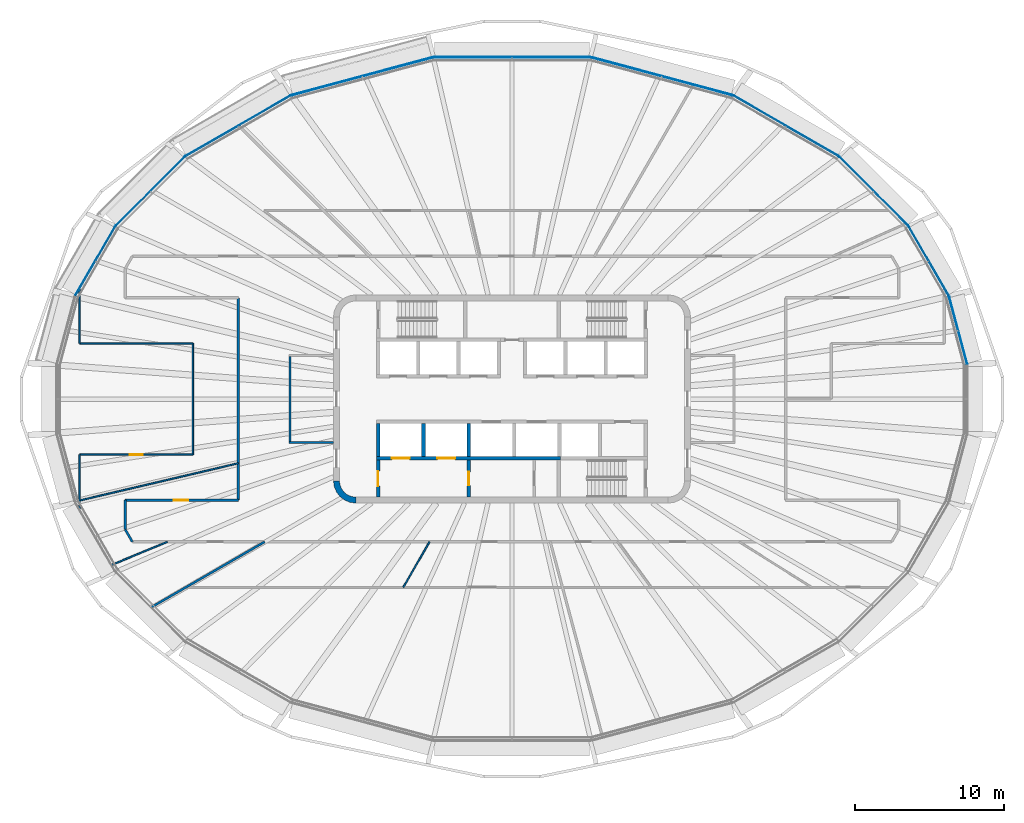
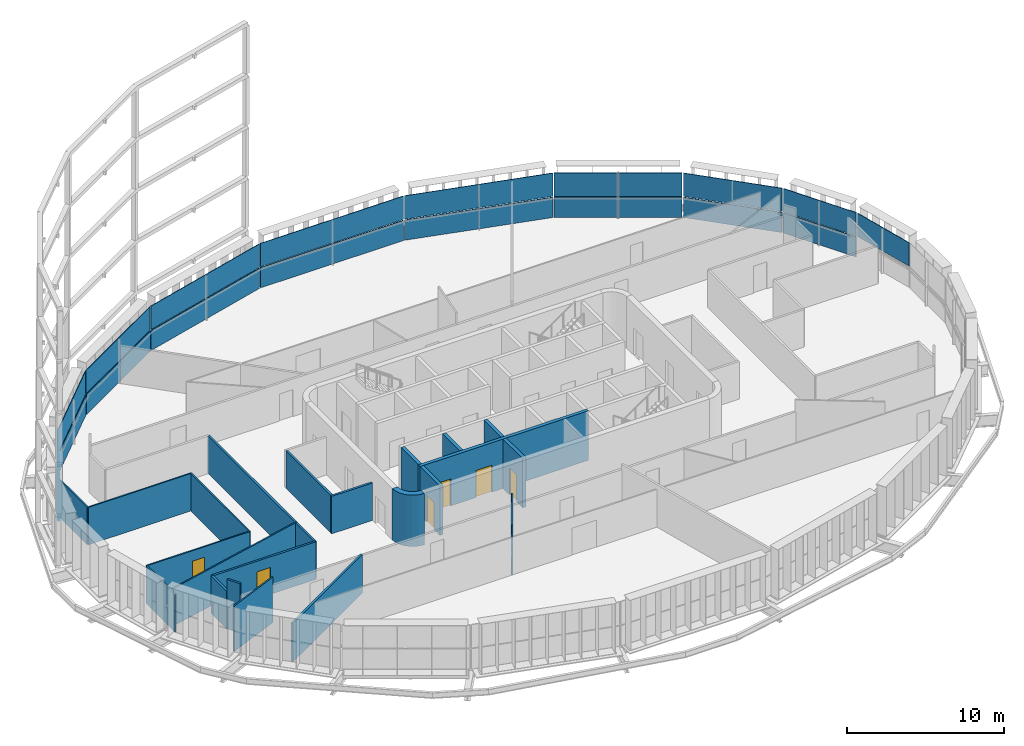
# One storey, part 9 of 20: 22 walls, 19 plates, 6 doors, 6 openings, 10 elements without a shape of their own.
"""IFC4 building model written with IfcOpenShell, lengths in metres."""

from ifc_helpers import new_model, si_unit, direction, frame, frame_2d, origin, place, context, subcontext, project, spatial, polyline, rectangle, outline, extrude, material, layer, layer_set, type_object, element, fill, aggregate, save


model = new_model("IFC4")

# Units and contexts
model_context = context("Model", 3, precision=1e-05, world=origin(), true_north=direction((0.0, 1.0)))
body_context = subcontext(model_context, "Body", "Model", "MODEL_VIEW")
ifc_project = project(units=[si_unit("LENGTHUNIT", "METRE"), si_unit("AREAUNIT", "SQUARE_METRE"), si_unit("VOLUMEUNIT", "CUBIC_METRE"), si_unit("PLANEANGLEUNIT", "RADIAN"), si_unit("MASSUNIT", "GRAM", prefix="KILO")], contexts=[model_context])

# Site, building, storey
site_placement = place(None, origin())
site = spatial("IfcSite", under=ifc_project, at=site_placement, CompositionType="ELEMENT")
building_placement = place(site_placement, origin())
building = spatial("IfcBuilding", under=site, at=building_placement, Name="Sahrelin Media Tower", CompositionType="ELEMENT")
storey_placement = place(building_placement, frame((0.0, 0.0, 213.60009765625)))
storey = spatial("IfcBuildingStorey", under=building, at=storey_placement, Name="L45", CompositionType="ELEMENT", Elevation=213.60009765625)

# Curtain wall, plate
ifc_material_1 = material(Name="Champagne anodised aluminium 6063-T6", Category="aluminium")
ifc_layer_1 = layer(ifc_material_1, 0.14990234375)
ifc_layer_set_1 = layer_set([ifc_layer_1], Name="Tower ribbon curtain wall")
curtain_wall_type = type_object("IfcCurtainWallType", Name="Tower ribbon curtain wall", PredefinedType="NOTDEFINED", material=ifc_layer_set_1)
curtain_wall_1_placement = place(storey_placement, frame((30.00244140625, 4.599365234375, 0.0), z_axis=(0.0, 0.0, 1.0), x_axis=(1.0, 0.0, 0.0)))
curtain_wall_1 = element("IfcCurtainWall", 1, at=curtain_wall_1_placement, inside=storey, type_object=curtain_wall_type, Name="L45:CW:L45-01", PredefinedType="NOTDEFINED")
ifc_material_2 = material(Name="Clear low-iron glazing", Category="glass")
ifc_layer_2 = layer(ifc_material_2, 0.0439453125)
ifc_layer_set_2 = layer_set([ifc_layer_2], Name="Glazing panel 44 mm CW1B")
plate_type_1 = type_object("IfcPlateType", Name="Glazing panel 44 mm CW1B", PredefinedType="CURTAIN_PANEL", material=ifc_layer_set_2)
plate_1_placement = place(storey_placement, frame((30.628173828125, 2.341552734375, 1.6298828125), z_axis=(0.965928980275, 0.258807273979, 0.0), x_axis=(-0.258807273979, 0.965928980275, 0.0)))
plate_1 = element("IfcPlate", 2, at=plate_1_placement, type_object=plate_type_1, Name="L45:CWP2:L45-01", PredefinedType="CURTAIN_PANEL", context=body_context, shape_type="SweptSolid", body=[
    extrude(outline(polyline([(0.0, 0.0), (4.685546875, 0.0), (4.685546875, 1.818603515625), (0.0, 1.818603515625), (0.0, 0.0)])), origin(), (0.0, 0.0, -1.0), 0.0439453125),
])
aggregate(curtain_wall_1, [plate_1])

curtain_wall_2_placement = place(storey_placement, frame((28.02197265625, 9.268310546875, 0.0), z_axis=(0.0, 0.0, 1.0), x_axis=(1.0, 0.0, 0.0)))
curtain_wall_2 = element("IfcCurtainWall", 3, at=curtain_wall_2_placement, inside=storey, type_object=curtain_wall_type, Name="L45:CW:L45-02", PredefinedType="NOTDEFINED")
plate_2_placement = place(storey_placement, frame((29.37548828125, 6.9638671875, 1.6298828125), z_axis=(0.866028142048, 0.499995257159, 0.0), x_axis=(-0.499995257159, 0.866028142048, 0.0)))
plate_2 = element("IfcPlate", 4, at=plate_2_placement, type_object=plate_type_1, Name="L45:CWP2:L45-02", PredefinedType="CURTAIN_PANEL", context=body_context, shape_type="SweptSolid", body=[
    extrude(outline(polyline([(0.0, 0.0), (5.34521484375, 0.0), (5.34521484375, 1.818603515625), (0.0, 1.818603515625), (0.0, 0.0)])), origin(), (0.0, 0.0, -1.0), 0.0439453125),
])

curtain_wall_3_placement = place(storey_placement, frame((24.32177734375, 13.96484375, 0.0), z_axis=(0.0, 0.0, 1.0), x_axis=(1.0, 0.0, 0.0)))
curtain_wall_3 = element("IfcCurtainWall", 5, at=curtain_wall_3_placement, inside=storey, type_object=curtain_wall_type, Name="L45:CW:L45-03", PredefinedType="NOTDEFINED")
plate_3_placement = place(storey_placement, frame((26.639404296875, 11.67578125, 1.6298828125), z_axis=(0.707088044173, 0.707125517703, 0.0), x_axis=(-0.707125517703, 0.707088044173, 0.0)))
plate_3 = element("IfcPlate", 6, at=plate_3_placement, type_object=plate_type_1, Name="L45:CWP2:L45-03", PredefinedType="CURTAIN_PANEL", context=body_context, shape_type="SweptSolid", body=[
    extrude(outline(polyline([(0.0, 0.0), (6.51513671875, 0.0), (6.51513671875, 1.818603515625), (0.0, 1.818603515625), (0.0, 0.0)])), origin(), (0.0, 0.0, -1.0), 0.0439453125),
])

curtain_wall_4_placement = place(storey_placement, frame((18.413330078125, 18.364501953125, 0.0), z_axis=(0.0, 0.0, 1.0), x_axis=(1.0, 0.0, 0.0)))
curtain_wall_4 = element("IfcCurtainWall", 7, at=curtain_wall_4_placement, inside=storey, type_object=curtain_wall_type, Name="L45:CW:L45-04", PredefinedType="NOTDEFINED")
plate_4_placement = place(storey_placement, frame((21.94970703125, 16.345947265625, 1.6298828125), z_axis=(0.500011363838, 0.86601884277, 0.0), x_axis=(-0.86601884277, 0.500011363838, 0.0)))
plate_4 = element("IfcPlate", 8, at=plate_4_placement, type_object=plate_type_1, Name="L45:CWP2:L45-04", PredefinedType="CURTAIN_PANEL", context=body_context, shape_type="SweptSolid", body=[
    extrude(outline(polyline([(0.0, 0.0), (8.143798828125, 0.0), (8.143798828125, 1.818603515625), (0.0, 1.818603515625), (0.0, 0.0)])), origin(), (0.0, 0.0, -1.0), 0.0439453125),
])

curtain_wall_5_placement = place(storey_placement, frame((10.072998046875, 21.703857421875, 0.0), z_axis=(0.0, 0.0, 1.0), x_axis=(1.0, 0.0, 0.0)))
curtain_wall_5 = element("IfcCurtainWall", 9, at=curtain_wall_5_placement, inside=storey, type_object=curtain_wall_type, Name="L45:CW:L45-05", PredefinedType="NOTDEFINED")
plate_5_placement = place(storey_placement, frame((14.800537109375, 20.4580078125, 1.6298828125), z_axis=(0.258804729168, 0.965929662118, 0.0), x_axis=(-0.965929662118, 0.258804729168, 0.0)))
plate_5 = element("IfcPlate", 10, at=plate_5_placement, type_object=plate_type_1, Name="L45:CWP2:L45-05", PredefinedType="CURTAIN_PANEL", context=body_context, shape_type="SweptSolid", body=[
    extrude(outline(polyline([(0.0, 0.0), (9.777587890625, 0.0), (9.777587890625, 1.818603515625), (0.0, 1.818603515625), (0.0, 0.0)])), origin(), (0.0, 0.0, -1.0), 0.0439453125),
])

curtain_wall_6_placement = place(storey_placement, frame((0.0, 22.982177734375, 0.0), z_axis=(0.0, 0.0, 1.0), x_axis=(1.0, 0.0, 0.0)))
curtain_wall_6 = element("IfcCurtainWall", 11, at=curtain_wall_6_placement, inside=storey, type_object=curtain_wall_type, Name="L45:CW:L45-06", PredefinedType="NOTDEFINED")
plate_6_placement = place(storey_placement, frame((5.25244140625, 23.002197265625, 1.6298828125), z_axis=(0.0, 1.0, 0.0), x_axis=(-1.0, 0.0, 0.0)))
plate_6 = element("IfcPlate", 12, at=plate_6_placement, type_object=plate_type_1, Name="L45:CWP2:L45-06", PredefinedType="CURTAIN_PANEL", context=body_context, shape_type="SweptSolid", body=[
    extrude(outline(polyline([(0.0, 0.0), (10.5048828125, 0.0), (10.5048828125, 1.818603515625), (0.0, 1.818603515625), (0.0, 0.0)])), origin(), (0.0, 0.0, -1.0), 0.0439453125),
])

curtain_wall_7_placement = place(storey_placement, frame((-10.072998046875, 21.703857421875, 0.0), z_axis=(0.0, 0.0, 1.0), x_axis=(1.0, 0.0, 0.0)))
curtain_wall_7 = element("IfcCurtainWall", 13, at=curtain_wall_7_placement, inside=storey, type_object=curtain_wall_type, Name="L45:CW:L45-07", PredefinedType="NOTDEFINED")
plate_7_placement = place(storey_placement, frame((-5.35595703125, 22.988525390625, 1.6298828125), z_axis=(-0.258804729168, 0.965929662118, 0.0), x_axis=(-0.965929662118, -0.258804729168, 0.0)))
plate_7 = element("IfcPlate", 14, at=plate_7_placement, type_object=plate_type_1, Name="L45:CWP2:L45-07", PredefinedType="CURTAIN_PANEL", context=body_context, shape_type="SweptSolid", body=[
    extrude(outline(polyline([(0.0, 0.0), (9.777587890625, 0.0), (9.777587890625, 1.818603515625), (0.0, 1.818603515625), (0.0, 0.0)])), origin(), (0.0, 0.0, -1.0), 0.0439453125),
])

curtain_wall_8_placement = place(storey_placement, frame((-18.413330078125, 18.36474609375, 0.0), z_axis=(0.0, 0.0, 1.0), x_axis=(1.0, 0.0, 0.0)))
curtain_wall_8 = element("IfcCurtainWall", 15, at=curtain_wall_8_placement, inside=storey, type_object=curtain_wall_type, Name="L45:CW:L45-08", PredefinedType="NOTDEFINED")
plate_8_placement = place(storey_placement, frame((-14.89697265625, 20.41796875, 1.6298828125), z_axis=(-0.500011363838, 0.86601884277, 0.0), x_axis=(-0.86601884277, -0.500011363838, 0.0)))
plate_8 = element("IfcPlate", 16, at=plate_8_placement, type_object=plate_type_1, Name="L45:CWP2:L45-08", PredefinedType="CURTAIN_PANEL", context=body_context, shape_type="SweptSolid", body=[
    extrude(outline(polyline([(0.0, 0.0), (8.143798828125, 0.0), (8.143798828125, 1.818603515625), (0.0, 1.818603515625), (0.0, 0.0)])), origin(), (0.0, 0.0, -1.0), 0.0439453125),
])

curtain_wall_9_placement = place(storey_placement, frame((-24.32177734375, 13.965087890625, 0.0), z_axis=(0.0, 0.0, 1.0), x_axis=(1.0, 0.0, 0.0)))
curtain_wall_9 = element("IfcCurtainWall", 17, at=curtain_wall_9_placement, inside=storey, type_object=curtain_wall_type, Name="L45:CW:L45-09", PredefinedType="NOTDEFINED")
plate_9_placement = place(storey_placement, frame((-22.032470703125, 16.282470703125, 1.6298828125), z_axis=(-0.707088044173, 0.707125517703, 0.0), x_axis=(-0.707125517703, -0.707088044173, 0.0)))
plate_9 = element("IfcPlate", 18, at=plate_9_placement, type_object=plate_type_1, Name="L45:CWP2:L45-09", PredefinedType="CURTAIN_PANEL", context=body_context, shape_type="SweptSolid", body=[
    extrude(outline(polyline([(0.0, 0.0), (6.51513671875, 0.0), (6.51513671875, 1.818603515625), (0.0, 1.818603515625), (0.0, 0.0)])), origin(), (0.0, 0.0, -1.0), 0.0439453125),
])

curtain_wall_10_placement = place(storey_placement, frame((-28.02197265625, 9.268310546875, 0.0), z_axis=(0.0, 0.0, 1.0), x_axis=(1.0, 0.0, 0.0)))
curtain_wall_10 = element("IfcCurtainWall", 19, at=curtain_wall_10_placement, inside=storey, type_object=curtain_wall_type, Name="L45:CW:L45-10", PredefinedType="NOTDEFINED")
plate_10_placement = place(storey_placement, frame((-26.702880859375, 11.593017578125, 1.6298828125), z_axis=(-0.866028142048, 0.499995257159, 0.0), x_axis=(-0.499995257159, -0.866028142048, 0.0)))
plate_10 = element("IfcPlate", 20, at=plate_10_placement, type_object=plate_type_1, Name="L45:CWP2:L45-10", PredefinedType="CURTAIN_PANEL", context=body_context, shape_type="SweptSolid", body=[
    extrude(outline(polyline([(0.0, 0.0), (5.34521484375, 0.0), (5.34521484375, 1.818603515625), (0.0, 1.818603515625), (0.0, 0.0)])), origin(), (0.0, 0.0, -1.0), 0.0439453125),
])

# Plate
ifc_material_3 = material(Name="Insulated spandrel panel")
ifc_layer_3 = layer(ifc_material_3, 0.06005859375)
ifc_layer_set_3 = layer_set([ifc_layer_3], Name="Spandrel panel 60 mm CW1")
plate_type_2 = type_object("IfcPlateType", Name="Spandrel panel 60 mm CW1", PredefinedType="SHEET", material=ifc_layer_set_3)
plate_11_placement = place(storey_placement, frame((29.37548828125, 6.9638671875, 0.0), z_axis=(0.866028142048, 0.499995257159, 0.0), x_axis=(-0.499995257159, 0.866028142048, 0.0)))
plate_11 = element("IfcPlate", 21, at=plate_11_placement, type_object=plate_type_2, Name="L45:CWP1:L45-02", PredefinedType="SHEET", context=body_context, shape_type="SweptSolid", body=[
    extrude(outline(polyline([(0.0, 0.0), (5.34521484375, 0.0), (5.34521484375, 1.56982421875), (0.0, 1.56982421875), (0.0, 0.0)])), origin(), (0.0, 0.0, -1.0), 0.06005859375),
])

aggregate(curtain_wall_2, [plate_11, plate_2])

plate_12_placement = place(storey_placement, frame((26.639404296875, 11.67578125, 0.0), z_axis=(0.707088044173, 0.707125517703, 0.0), x_axis=(-0.707125517703, 0.707088044173, 0.0)))
plate_12 = element("IfcPlate", 22, at=plate_12_placement, type_object=plate_type_2, Name="L45:CWP1:L45-03", PredefinedType="SHEET", context=body_context, shape_type="SweptSolid", body=[
    extrude(outline(polyline([(0.0, 0.0), (6.51513671875, 0.0), (6.51513671875, 1.56982421875), (0.0, 1.56982421875), (0.0, 0.0)])), origin(), (0.0, 0.0, -1.0), 0.06005859375),
])

aggregate(curtain_wall_3, [plate_12, plate_3])

plate_13_placement = place(storey_placement, frame((21.94970703125, 16.345947265625, 0.0), z_axis=(0.500011363838, 0.86601884277, 0.0), x_axis=(-0.86601884277, 0.500011363838, 0.0)))
plate_13 = element("IfcPlate", 23, at=plate_13_placement, type_object=plate_type_2, Name="L45:CWP1:L45-04", PredefinedType="SHEET", context=body_context, shape_type="SweptSolid", body=[
    extrude(outline(polyline([(0.0, 0.0), (8.143798828125, 0.0), (8.143798828125, 1.56982421875), (0.0, 1.56982421875), (0.0, 0.0)])), origin(), (0.0, 0.0, -1.0), 0.06005859375),
])

aggregate(curtain_wall_4, [plate_13, plate_4])

plate_14_placement = place(storey_placement, frame((14.800537109375, 20.4580078125, 0.0), z_axis=(0.258804729168, 0.965929662118, 0.0), x_axis=(-0.965929662118, 0.258804729168, 0.0)))
plate_14 = element("IfcPlate", 24, at=plate_14_placement, type_object=plate_type_2, Name="L45:CWP1:L45-05", PredefinedType="SHEET", context=body_context, shape_type="SweptSolid", body=[
    extrude(outline(polyline([(0.0, 0.0), (9.777587890625, 0.0), (9.777587890625, 1.56982421875), (0.0, 1.56982421875), (0.0, 0.0)])), origin(), (0.0, 0.0, -1.0), 0.06005859375),
])

aggregate(curtain_wall_5, [plate_14, plate_5])

plate_15_placement = place(storey_placement, frame((5.25244140625, 23.002197265625, 0.0), z_axis=(0.0, 1.0, 0.0), x_axis=(-1.0, 0.0, 0.0)))
plate_15 = element("IfcPlate", 25, at=plate_15_placement, type_object=plate_type_2, Name="L45:CWP1:L45-06", PredefinedType="SHEET", context=body_context, shape_type="SweptSolid", body=[
    extrude(outline(polyline([(0.0, 0.0), (10.5048828125, 0.0), (10.5048828125, 1.56982421875), (0.0, 1.56982421875), (0.0, 0.0)])), origin(), (0.0, 0.0, -1.0), 0.06005859375),
])

aggregate(curtain_wall_6, [plate_15, plate_6])

plate_16_placement = place(storey_placement, frame((-5.35595703125, 22.988525390625, 0.0), z_axis=(-0.258804729168, 0.965929662118, 0.0), x_axis=(-0.965929662118, -0.258804729168, 0.0)))
plate_16 = element("IfcPlate", 26, at=plate_16_placement, type_object=plate_type_2, Name="L45:CWP1:L45-07", PredefinedType="SHEET", context=body_context, shape_type="SweptSolid", body=[
    extrude(outline(polyline([(0.0, 0.0), (9.777587890625, 0.0), (9.777587890625, 1.56982421875), (0.0, 1.56982421875), (0.0, 0.0)])), origin(), (0.0, 0.0, -1.0), 0.06005859375),
])

aggregate(curtain_wall_7, [plate_16, plate_7])

plate_17_placement = place(storey_placement, frame((-14.89697265625, 20.41796875, 0.0), z_axis=(-0.500011363838, 0.86601884277, 0.0), x_axis=(-0.86601884277, -0.500011363838, 0.0)))
plate_17 = element("IfcPlate", 27, at=plate_17_placement, type_object=plate_type_2, Name="L45:CWP1:L45-08", PredefinedType="SHEET", context=body_context, shape_type="SweptSolid", body=[
    extrude(outline(polyline([(0.0, 0.0), (8.143798828125, 0.0), (8.143798828125, 1.56982421875), (0.0, 1.56982421875), (0.0, 0.0)])), origin(), (0.0, 0.0, -1.0), 0.06005859375),
])

aggregate(curtain_wall_8, [plate_17, plate_8])

plate_18_placement = place(storey_placement, frame((-22.032470703125, 16.282470703125, 0.0), z_axis=(-0.707088044173, 0.707125517703, 0.0), x_axis=(-0.707125517703, -0.707088044173, 0.0)))
plate_18 = element("IfcPlate", 28, at=plate_18_placement, type_object=plate_type_2, Name="L45:CWP1:L45-09", PredefinedType="SHEET", context=body_context, shape_type="SweptSolid", body=[
    extrude(outline(polyline([(0.0, 0.0), (6.51513671875, 0.0), (6.51513671875, 1.56982421875), (0.0, 1.56982421875), (0.0, 0.0)])), origin(), (0.0, 0.0, -1.0), 0.06005859375),
])

aggregate(curtain_wall_9, [plate_18, plate_9])

plate_19_placement = place(storey_placement, frame((-26.702880859375, 11.593017578125, 0.0), z_axis=(-0.866028142048, 0.499995257159, 0.0), x_axis=(-0.499995257159, -0.866028142048, 0.0)))
plate_19 = element("IfcPlate", 29, at=plate_19_placement, type_object=plate_type_2, Name="L45:CWP1:L45-10", PredefinedType="SHEET", context=body_context, shape_type="SweptSolid", body=[
    extrude(outline(polyline([(0.0, 0.0), (5.34521484375, 0.0), (5.34521484375, 1.56982421875), (0.0, 1.56982421875), (0.0, 0.0)])), origin(), (0.0, 0.0, -1.0), 0.06005859375),
])

aggregate(curtain_wall_10, [plate_19, plate_10])

# Walls
ifc_material_4 = material(Name="Concrete C60/75", Category="concrete")
ifc_layer_4 = layer(ifc_material_4, 0.39990234375)
ifc_layer_set_4 = layer_set([ifc_layer_4], Name="Core wall 400")
wall_type_1 = type_object("IfcWallType", Name="Core wall 400", PredefinedType="SHEAR", material=ifc_layer_set_4)
wall_1_placement = place(storey_placement, origin())
element("IfcWall", 30, at=wall_1_placement, inside=storey, type_object=wall_type_1, Name="Core wall corner SW L45", PredefinedType="SHEAR", context=body_context, shape_type="SweptSolid", body=[
    extrude(outline(polyline([(-10.5, -7.0), (-10.5, -6.596435546875), (-10.78369140625, -6.55908203125), (-11.04833984375, -6.44970703125), (-11.275390625, -6.275390625), (-11.44970703125, -6.04833984375), (-11.55908203125, -5.78369140625), (-11.596435546875, -5.5), (-12.0, -5.5), (-11.948974609375, -5.88818359375), (-11.799072265625, -6.25), (-11.560791015625, -6.560791015625), (-11.25, -6.799072265625), (-10.88818359375, -6.948974609375), (-10.5, -7.0)])), origin(), (0.0, 0.0, 1.0), 4.0),
])
ifc_material_5 = material(Name="Fire-rated gypsum board partition")
ifc_layer_5 = layer(ifc_material_5, 0.14990234375)
ifc_layer_set_5 = layer_set([ifc_layer_5], Name="Fire-rated partition 150")
wall_type_2 = type_object("IfcWallType", Name="Fire-rated partition 150", PredefinedType="PARTITIONING", material=ifc_layer_set_5)
wall_2_placement = place(storey_placement, frame((-14.925048828125, -2.85009765625, 0.0), z_axis=(0.0, 0.0, 1.0), x_axis=(0.0, 1.0, 0.0)))
element("IfcWall", 31, at=wall_2_placement, inside=storey, type_object=wall_type_2, Name="Core room fire partition", PredefinedType="PARTITIONING", context=body_context, shape_type="SweptSolid", body=[
    extrude(rectangle(XDim=5.7001953125, YDim=0.14990234375, at=frame_2d((2.85009765625, 0.0))), origin(), (0.0, 0.0, 1.0), 2.918212890625),
])
wall_3_placement = place(storey_placement, frame((-15.0, -2.925048828125, 0.0), z_axis=(0.0, 0.0, 1.0), x_axis=(1.0, 0.0, 0.0)))
element("IfcWall", 32, at=wall_3_placement, inside=storey, type_object=wall_type_2, Name="Core room fire partition", PredefinedType="PARTITIONING", context=body_context, shape_type="SweptSolid", body=[
    extrude(rectangle(XDim=3.0, YDim=0.14990234375, at=frame_2d((1.5, 0.0))), origin(), (0.0, 0.0, 1.0), 2.918212890625),
])
wall_4_placement = place(storey_placement, frame((-26.0, -8.77099609375, 0.0), z_axis=(0.0, 0.0, 1.0), x_axis=(0.499869636591, -0.866100656052, 0.0)))
element("IfcWall", 33, at=wall_4_placement, inside=storey, type_object=wall_type_2, Name="Wall", PredefinedType="PARTITIONING", context=body_context, shape_type="SweptSolid", body=[
    extrude(rectangle(XDim=0.957275390625, YDim=0.14990234375, at=frame_2d((0.478515625, 0.0))), origin(), (0.0, 0.0, 1.0), 3.849853515625),
])

# Wall, opening, door
wall_5_placement = place(storey_placement, frame((-26.0, -6.800048828125, 0.0), z_axis=(0.0, 0.0, 1.0), x_axis=(1.0, 0.0, 0.0)))
wall_5 = element("IfcWall", 34, at=wall_5_placement, inside=storey, type_object=wall_type_2, Name="Wall", PredefinedType="PARTITIONING", context=body_context, shape_type="SweptSolid", body=[
    extrude(rectangle(XDim=7.60009765625, YDim=0.14990234375, at=frame_2d((3.800048828125, 0.0))), origin(), (0.0, 0.0, 1.0), 2.927001953125),
])
opening_1_placement = place(wall_5_placement, frame((3.2490234375, 0.0, 0.0)))
opening_1 = element("IfcOpeningElement", 35, at=opening_1_placement, cuts=wall_5, Name="Opening L45-D21", PredefinedType="OPENING", context=body_context, shape_type="SweptSolid", body=[
    extrude(rectangle(XDim=1.0, YDim=2.10009765625, at=frame_2d((0.5, 1.050048828125))), frame((0.0, 0.074951171875, 0.0), z_axis=(0.0, -1.0, 0.0), x_axis=(1.0, 0.0, 0.0)), (0.0, 0.0, 1.0), 0.14990234375),
])
ifc_material_6 = material(Name="Steel fire door leaf", Category="steel")
door_type_1 = type_object("IfcDoorType", Name="Fire door 1000 x 2100 EI 60", OperationType="NOTDEFINED", PredefinedType="DOOR", material=ifc_material_6)
door_1_placement = place(opening_1_placement, origin())
door_1 = element("IfcDoor", 36, at=door_1_placement, inside=storey, type_object=door_type_1, Name="Fire door", OperationType="SINGLE_SWING_LEFT", OverallHeight=2.10009765625, OverallWidth=1.0, PredefinedType="DOOR", context=body_context, shape_type="SweptSolid", body=[
    extrude(rectangle(XDim=1.0, YDim=2.10009765625, at=frame_2d((0.5, 1.050048828125))), frame((0.0, 0.02490234375, 0.0), z_axis=(0.0, -1.0, 0.0), x_axis=(1.0, 0.0, 0.0)), (0.0, 0.0, 1.0), 0.050048828125),
])
fill(opening_1, door_1)

# Walls
wall_6_placement = place(storey_placement, frame((-24.27294921875, -14.013916015625, 0.0), z_axis=(0.0, 0.0, 1.0), x_axis=(0.866027156147, 0.499996964807, 0.0)))
element("IfcWall", 37, at=wall_6_placement, inside=storey, type_object=wall_type_2, Name="Wall", PredefinedType="PARTITIONING", context=body_context, shape_type="SweptSolid", body=[
    extrude(rectangle(XDim=8.82763671875, YDim=0.14990234375, at=frame_2d((4.413818359375, 0.0))), origin(), (0.0, 0.0, 1.0), 2.994873046875),
])
wall_7_placement = place(storey_placement, frame((-18.39990234375, -6.800048828125, 0.0), z_axis=(0.0, 0.0, 1.0), x_axis=(0.0, 1.0, 0.0)))
element("IfcWall", 38, at=wall_7_placement, inside=storey, type_object=wall_type_2, Name="Wall", PredefinedType="PARTITIONING", context=body_context, shape_type="SweptSolid", body=[
    extrude(rectangle(XDim=13.60009765625, YDim=0.14990234375, at=frame_2d((6.800048828125, 0.0))), origin(), (0.0, 0.0, 1.0), 2.918212890625),
])
wall_8_placement = place(storey_placement, frame((-26.0, -8.77099609375, 0.0), z_axis=(0.0, 0.0, 1.0), x_axis=(0.0, 1.0, 0.0)))
element("IfcWall", 39, at=wall_8_placement, inside=storey, type_object=wall_type_2, Name="Wall", PredefinedType="PARTITIONING", context=body_context, shape_type="SweptSolid", body=[
    extrude(rectangle(XDim=1.970947265625, YDim=0.14990234375, at=frame_2d((0.9853515625, 0.0))), origin(), (0.0, 0.0, 1.0), 2.927001953125),
])

# Wall, opening, door
ifc_layer_6 = layer(ifc_material_5, 0.25)
ifc_layer_set_6 = layer_set([ifc_layer_6], Name="Firefighting lobby wall 250")
wall_type_3 = type_object("IfcWallType", Name="Firefighting lobby wall 250", PredefinedType="PARTITIONING", material=ifc_layer_set_6)
wall_9_placement = place(storey_placement, frame((-9.0, -6.60009765625, 0.0), z_axis=(0.0, 0.0, 1.0), x_axis=(0.0, 1.0, 0.0)))
wall_9 = element("IfcWall", 40, at=wall_9_placement, inside=storey, type_object=wall_type_3, Name="Core wall", PredefinedType="PARTITIONING", context=body_context, shape_type="SweptSolid", body=[
    extrude(rectangle(XDim=2.5, YDim=0.25, at=frame_2d((1.25, 0.0))), origin(), (0.0, 0.0, 1.0), 3.849853515625),
])
opening_2_placement = place(wall_9_placement, frame((0.75, 0.0, 0.0)))
opening_2 = element("IfcOpeningElement", 41, at=opening_2_placement, cuts=wall_9, Name="Opening L45-D04", PredefinedType="OPENING", context=body_context, shape_type="SweptSolid", body=[
    extrude(rectangle(XDim=1.0, YDim=2.10009765625, at=frame_2d((0.5, 1.050048828125))), frame((0.0, 0.125, 0.0), z_axis=(0.0, -1.0, 0.0), x_axis=(1.0, 0.0, 0.0)), (0.0, 0.0, 1.0), 0.25),
])
door_type_2 = type_object("IfcDoorType", Name="Firefighting lobby door 1000 x 2100 EI 120", OperationType="NOTDEFINED", PredefinedType="DOOR", material=ifc_material_6)
door_2_placement = place(opening_2_placement, origin())
door_2 = element("IfcDoor", 42, at=door_2_placement, inside=storey, type_object=door_type_2, Name="Firefighting lobby door", OperationType="SINGLE_SWING_LEFT", OverallHeight=2.10009765625, OverallWidth=1.0, PredefinedType="DOOR", context=body_context, shape_type="SweptSolid", body=[
    extrude(rectangle(XDim=1.0, YDim=2.10009765625, at=frame_2d((0.5, 1.050048828125))), frame((0.0, 0.02490234375, 0.0), z_axis=(0.0, -1.0, 0.0), x_axis=(1.0, 0.0, 0.0)), (0.0, 0.0, 1.0), 0.050048828125),
])
fill(opening_2, door_2)

wall_10_placement = place(storey_placement, frame((-2.89990234375, -6.60009765625, 0.0), z_axis=(0.0, 0.0, 1.0), x_axis=(0.0, 1.0, 0.0)))
wall_10 = element("IfcWall", 43, at=wall_10_placement, inside=storey, type_object=wall_type_3, Name="Core wall", PredefinedType="PARTITIONING", context=body_context, shape_type="SweptSolid", body=[
    extrude(rectangle(XDim=2.5, YDim=0.25, at=frame_2d((1.25, 0.0))), origin(), (0.0, 0.0, 1.0), 3.849853515625),
])
opening_3_placement = place(wall_10_placement, frame((0.800048828125, 0.0, 0.0)))
opening_3 = element("IfcOpeningElement", 44, at=opening_3_placement, cuts=wall_10, Name="Opening L45-D05", PredefinedType="OPENING", context=body_context, shape_type="SweptSolid", body=[
    extrude(rectangle(XDim=0.89990234375, YDim=2.10009765625, at=frame_2d((0.449951171875, 1.050048828125))), frame((0.0, 0.125, 0.0), z_axis=(0.0, -1.0, 0.0), x_axis=(1.0, 0.0, 0.0)), (0.0, 0.0, 1.0), 0.25),
])
door_type_3 = type_object("IfcDoorType", Name="Firefighting lobby door 900 x 2100 EI 120", OperationType="NOTDEFINED", PredefinedType="DOOR", material=ifc_material_6)
door_3_placement = place(opening_3_placement, origin())
door_3 = element("IfcDoor", 45, at=door_3_placement, inside=storey, type_object=door_type_3, Name="Riser door", OperationType="SINGLE_SWING_RIGHT", OverallHeight=2.10009765625, OverallWidth=0.89990234375, PredefinedType="DOOR", context=body_context, shape_type="SweptSolid", body=[
    extrude(rectangle(XDim=0.89990234375, YDim=2.10009765625, at=frame_2d((0.449951171875, 1.050048828125))), frame((0.0, 0.02490234375, 0.0), z_axis=(0.0, -1.0, 0.0), x_axis=(1.0, 0.0, 0.0)), (0.0, 0.0, 1.0), 0.050048828125),
])
fill(opening_3, door_3)

# Wall, openings, doors
ifc_layer_7 = layer(ifc_material_4, 0.25)
ifc_layer_set_7 = layer_set([ifc_layer_7], Name="Lift shaft wall 250")
wall_type_4 = type_object("IfcWallType", Name="Lift shaft wall 250", PredefinedType="SOLIDWALL", material=ifc_layer_set_7)
wall_11_placement = place(storey_placement, frame((-9.125, -3.97509765625, 0.0), z_axis=(0.0, 0.0, 1.0), x_axis=(1.0, 0.0, 0.0)))
wall_11 = element("IfcWall", 46, at=wall_11_placement, inside=storey, type_object=wall_type_4, Name="Lift shaft wall", PredefinedType="SOLIDWALL", context=body_context, shape_type="SweptSolid", body=[
    extrude(rectangle(XDim=12.39990234375, YDim=0.25, at=frame_2d((6.199951171875, 0.0))), origin(), (0.0, 0.0, 1.0), 3.849853515625),
])
opening_4_placement = place(wall_11_placement, frame((1.050048828125, 0.0, 0.0)))
opening_4 = element("IfcOpeningElement", 47, at=opening_4_placement, cuts=wall_11, Name="Opening L45-LD-FF1", PredefinedType="OPENING", context=body_context, shape_type="SweptSolid", body=[
    extrude(rectangle(XDim=1.199951171875, YDim=2.10009765625, at=frame_2d((0.60009765625, 1.050048828125))), frame((0.0, 0.125, 0.0), z_axis=(0.0, -1.0, 0.0), x_axis=(1.0, 0.0, 0.0)), (0.0, 0.0, 1.0), 0.25),
])
opening_5_placement = place(wall_11_placement, frame((4.10009765625, 0.0, 0.0)))
opening_5 = element("IfcOpeningElement", 48, at=opening_5_placement, cuts=wall_11, Name="Opening L45-LD-FF2", PredefinedType="OPENING", context=body_context, shape_type="SweptSolid", body=[
    extrude(rectangle(XDim=1.199951171875, YDim=2.10009765625, at=frame_2d((0.60009765625, 1.050048828125))), frame((0.0, 0.125, 0.0), z_axis=(0.0, -1.0, 0.0), x_axis=(1.0, 0.0, 0.0)), (0.0, 0.0, 1.0), 0.25),
])
ifc_material_7 = material(Name="Stainless steel", Category="steel")
door_type_4 = type_object("IfcDoorType", Name="Lift landing door 1200 x 2100 EI 120", OperationType="DOUBLE_DOOR_SLIDING", PredefinedType="DOOR", material=ifc_material_7)
door_4_placement = place(opening_4_placement, origin())
door_4 = element("IfcDoor", 49, at=door_4_placement, inside=storey, type_object=door_type_4, Name="Lift landing door FF1", OperationType="DOUBLE_DOOR_SLIDING", OverallHeight=2.10009765625, OverallWidth=1.199951171875, PredefinedType="DOOR", context=body_context, shape_type="SweptSolid", body=[
    extrude(rectangle(XDim=1.199951171875, YDim=2.10009765625, at=frame_2d((0.60009765625, 1.050048828125))), frame((0.0, 0.02490234375, 0.0), z_axis=(0.0, -1.0, 0.0), x_axis=(1.0, 0.0, 0.0)), (0.0, 0.0, 1.0), 0.050048828125),
])
fill(opening_4, door_4)
door_5_placement = place(opening_5_placement, origin())
door_5 = element("IfcDoor", 50, at=door_5_placement, inside=storey, type_object=door_type_4, Name="Lift landing door FF2", OperationType="DOUBLE_DOOR_SLIDING", OverallHeight=2.10009765625, OverallWidth=1.199951171875, PredefinedType="DOOR", context=body_context, shape_type="SweptSolid", body=[
    extrude(rectangle(XDim=1.199951171875, YDim=2.10009765625, at=frame_2d((0.60009765625, 1.050048828125))), frame((0.0, 0.02490234375, 0.0), z_axis=(0.0, -1.0, 0.0), x_axis=(1.0, 0.0, 0.0)), (0.0, 0.0, 1.0), 0.050048828125),
])
fill(opening_5, door_5)

# Walls
for number, where, z_axis, x_axis, name in (
    (51, (-9.0, -3.85009765625, 0.0), (0.0, 0.0, 1.0), (0.0, 1.0, 0.0), "Lift shaft wall"),
    (52, (-5.949951171875, -3.85009765625, 0.0), (0.0, 0.0, 1.0), (0.0, 1.0, 0.0), "Lift shaft wall"),
    (53, (-2.89990234375, -3.85009765625, 0.0), (0.0, 0.0, 1.0), (0.0, 1.0, 0.0), "Lift shaft wall"),
):
    element("IfcWall", number, at=place(storey_placement, frame(where, z_axis=z_axis, x_axis=x_axis)), inside=storey, type_object=wall_type_4, Name=name, PredefinedType="SOLIDWALL", context=body_context, shape_type="SweptSolid", body=[
        extrude(rectangle(XDim=2.2001953125, YDim=0.25, at=frame_2d((1.10009765625, 0.0))), origin(), (0.0, 0.0, 1.0), 3.849853515625),
    ])

# Wall, opening, door
ifc_material_8 = material(Name="Gypsum board partition")
ifc_layer_8 = layer(ifc_material_8, 0.10009765625)
ifc_layer_set_8 = layer_set([ifc_layer_8], Name="Partition 100")
wall_type_5 = type_object("IfcWallType", Name="Partition 100", PredefinedType="PARTITIONING", material=ifc_layer_set_8)
wall_12_placement = place(storey_placement, frame((-29.06005859375, -3.739990234375, 0.0), z_axis=(0.0, 0.0, 1.0), x_axis=(1.0, 0.0, 0.0)))
wall_12 = element("IfcWall", 54, at=wall_12_placement, inside=storey, type_object=wall_type_5, Name="Wall", PredefinedType="PARTITIONING", context=body_context, shape_type="SweptSolid", body=[
    extrude(rectangle(XDim=7.60009765625, YDim=0.10009765625, at=frame_2d((3.800048828125, 0.0))), origin(), (0.0, 0.0, 1.0), 2.918212890625),
])
opening_6_placement = place(wall_12_placement, frame((3.35009765625, 0.0, 0.0)))
opening_6 = element("IfcOpeningElement", 55, at=opening_6_placement, cuts=wall_12, Name="Opening L45-D23", PredefinedType="OPENING", context=body_context, shape_type="SweptSolid", body=[
    extrude(rectangle(XDim=0.89990234375, YDim=2.10009765625, at=frame_2d((0.449951171875, 1.050048828125))), frame((0.0, 0.050048828125, 0.0), z_axis=(0.0, -1.0, 0.0), x_axis=(1.0, 0.0, 0.0)), (0.0, 0.0, 1.0), 0.10009765625),
])
ifc_material_9 = material(Name="Timber door leaf", Category="wood")
door_type_5 = type_object("IfcDoorType", Name="Single door 900 x 2100", OperationType="NOTDEFINED", PredefinedType="DOOR", material=ifc_material_9)
door_6_placement = place(opening_6_placement, origin())
door_6 = element("IfcDoor", 56, at=door_6_placement, inside=storey, type_object=door_type_5, Name="Single door", OperationType="SINGLE_SWING_LEFT", OverallHeight=2.10009765625, OverallWidth=0.89990234375, PredefinedType="DOOR", context=body_context, shape_type="SweptSolid", body=[
    extrude(rectangle(XDim=0.89990234375, YDim=2.10009765625, at=frame_2d((0.449951171875, 1.050048828125))), frame((0.0, 0.02490234375, 0.0), z_axis=(0.0, -1.0, 0.0), x_axis=(1.0, 0.0, 0.0)), (0.0, 0.0, 1.0), 0.050048828125),
])
fill(opening_6, door_6)

# Walls
wall_13_placement = place(storey_placement, frame((-29.06005859375, 3.739990234375, 0.0), z_axis=(0.0, 0.0, 1.0), x_axis=(1.0, 0.0, 0.0)))
element("IfcWall", 57, at=wall_13_placement, inside=storey, type_object=wall_type_5, Name="Wall", PredefinedType="PARTITIONING", context=body_context, shape_type="SweptSolid", body=[
    extrude(rectangle(XDim=7.60009765625, YDim=0.10009765625, at=frame_2d((3.800048828125, 0.0))), origin(), (0.0, 0.0, 1.0), 2.918212890625),
])
wall_14_placement = place(storey_placement, frame((-29.06005859375, -6.821044921875, 0.0), z_axis=(0.0, 0.0, 1.0), x_axis=(0.973545675372, 0.228492489951, 0.0)))
element("IfcWall", 58, at=wall_14_placement, inside=storey, type_object=wall_type_5, Name="Wall", PredefinedType="PARTITIONING", context=body_context, shape_type="SweptSolid", body=[
    extrude(rectangle(XDim=10.94970703125, YDim=0.10009765625, at=frame_2d((5.474853515625, 0.0))), origin(), (0.0, 0.0, 1.0), 2.918212890625),
])
wall_15_placement = place(storey_placement, frame((-26.929931640625, -11.158935546875, 0.0), z_axis=(0.0, 0.0, 1.0), x_axis=(0.923864138535, 0.382720594598, 0.0)))
element("IfcWall", 59, at=wall_15_placement, inside=storey, type_object=wall_type_5, Name="Wall", PredefinedType="PARTITIONING", context=body_context, shape_type="SweptSolid", body=[
    extrude(rectangle(XDim=4.072998046875, YDim=0.10009765625, at=frame_2d((2.03662109375, 0.0))), origin(), (0.0, 0.0, 1.0), 3.526611328125),
])
wall_16_placement = place(storey_placement, frame((-7.30908203125, -12.659912109375, 0.0), z_axis=(0.0, 0.0, 1.0), x_axis=(0.499899920428, 0.866083177042, 0.0)))
element("IfcWall", 60, at=wall_16_placement, inside=storey, type_object=wall_type_5, Name="Wall", PredefinedType="PARTITIONING", context=body_context, shape_type="SweptSolid", body=[
    extrude(rectangle(XDim=3.532958984375, YDim=0.10009765625, at=frame_2d((1.7666015625, 0.0))), origin(), (0.0, 0.0, 1.0), 3.849853515625),
])
wall_17_placement = place(storey_placement, frame((-21.4599609375, -3.739990234375, 0.0), z_axis=(0.0, 0.0, 1.0), x_axis=(0.0, 1.0, 0.0)))
element("IfcWall", 61, at=wall_17_placement, inside=storey, type_object=wall_type_5, Name="Wall", PredefinedType="PARTITIONING", context=body_context, shape_type="SweptSolid", body=[
    extrude(rectangle(XDim=7.47998046875, YDim=0.10009765625, at=frame_2d((3.739990234375, 0.0))), origin(), (0.0, 0.0, 1.0), 2.918212890625),
])
for number, where, z_axis, x_axis, name in (
    (62, (-29.06005859375, -7.469970703125, 0.0), (0.0, 0.0, 1.0), (0.0, 1.0, 0.0), "Wall"),
    (63, (-29.06005859375, 3.739990234375, 0.0), (0.0, 0.0, 1.0), (0.0, 1.0, 0.0), "Wall"),
):
    element("IfcWall", number, at=place(storey_placement, frame(where, z_axis=z_axis, x_axis=x_axis)), inside=storey, type_object=wall_type_5, Name=name, PredefinedType="PARTITIONING", context=body_context, shape_type="SweptSolid", body=[
        extrude(rectangle(XDim=3.72998046875, YDim=0.10009765625, at=frame_2d((1.864990234375, 0.0))), origin(), (0.0, 0.0, 1.0), 2.918212890625),
    ])

save(model, "model.ifc")
